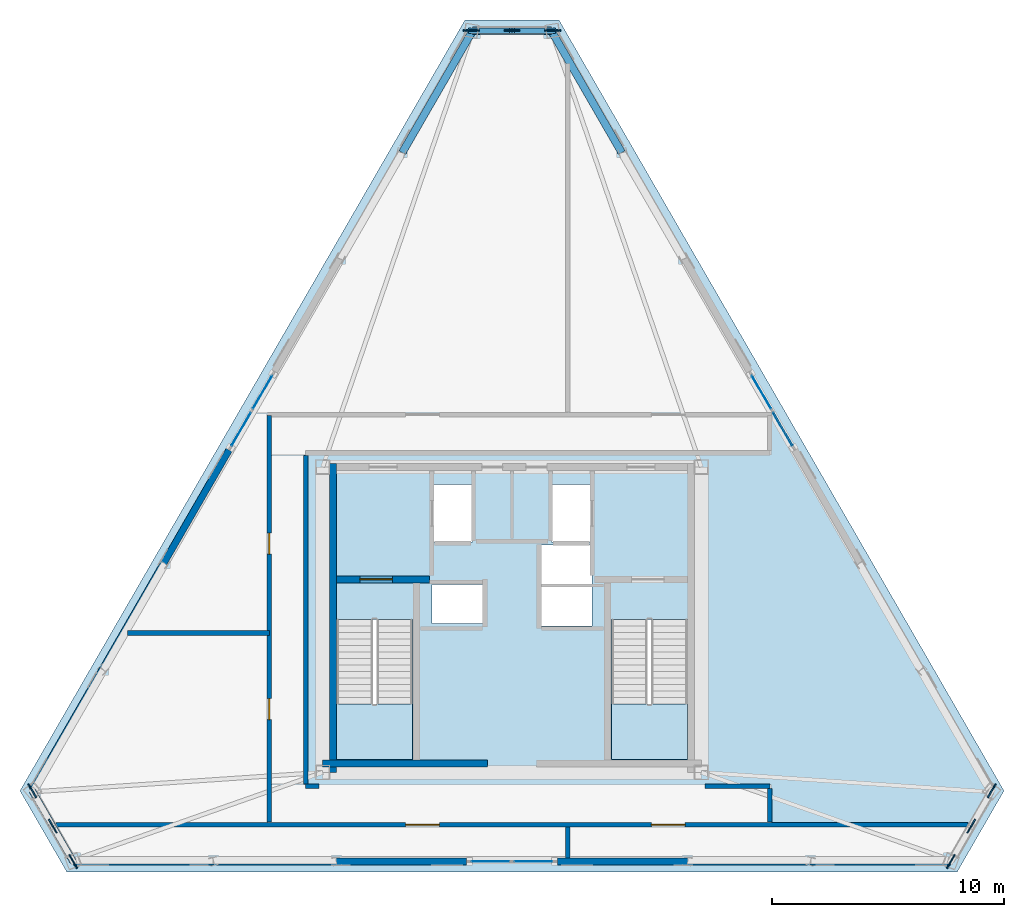
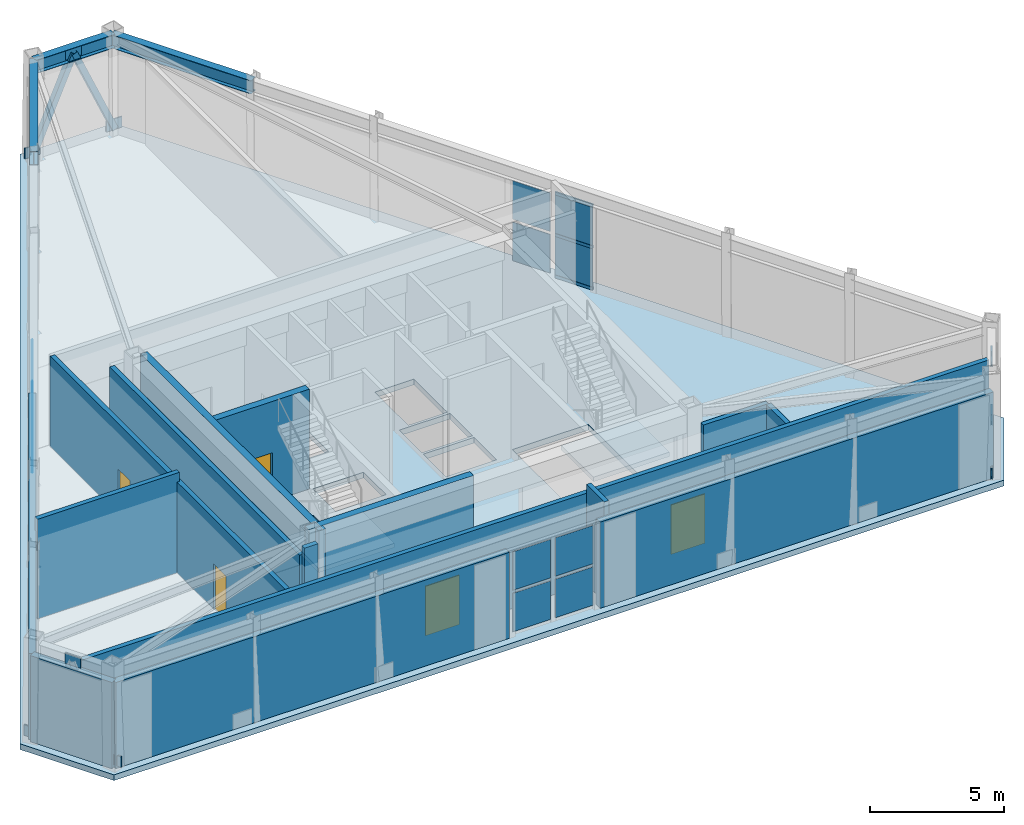
# One storey, part 8 of 12: 21 plates, 15 walls, 5 doors, 5 members, 3 beams, 3 slabs, 5 openings, 5 elements without a shape of their own.
"""IFC4 building model written with IfcOpenShell, lengths in metres."""

from ifc_helpers import new_model, si_unit, direction, frame, frame_2d, origin, origin_2d, place, context, subcontext, project, spatial, polyline, rectangle, hollow_rectangle, i_section, outline, extrude, material, layer, layer_set, material_profile, profile_set, type_object, element, fill, aggregate, save


model = new_model("IFC4")

# Units and contexts
model_context = context("Model", 3, precision=1e-05, world=origin(), true_north=direction((0.0, 1.0)))
body_context = subcontext(model_context, "Body", "Model", "MODEL_VIEW")
ifc_project = project(units=[si_unit("LENGTHUNIT", "METRE"), si_unit("AREAUNIT", "SQUARE_METRE"), si_unit("VOLUMEUNIT", "CUBIC_METRE"), si_unit("PLANEANGLEUNIT", "RADIAN"), si_unit("MASSUNIT", "GRAM", prefix="KILO")], contexts=[model_context])

# Site, building, storey
site_placement = place(None, origin())
site = spatial("IfcSite", under=ifc_project, at=site_placement, CompositionType="ELEMENT")
building_placement = place(site_placement, origin())
building = spatial("IfcBuilding", under=site, at=building_placement, Name="Oramaril Tower", CompositionType="ELEMENT")
storey_placement = place(building_placement, frame((0.0, 0.0, 314.10009765625)))
storey = spatial("IfcBuildingStorey", under=building, at=storey_placement, Name="L82", CompositionType="ELEMENT", Elevation=314.10009765625)

# Beams
ifc_material_1 = material(Name="Steel ASTM A572 Gr 50", Category="steel")
ifc_material_profile_1 = material_profile(ifc_material_1, i_section(OverallWidth=0.324951171875, OverallDepth=0.612060546875, WebThickness=0.0126953125, FlangeThickness=0.01904296875, at=origin_2d()), Name="W24X104")
ifc_profile_set_1 = profile_set([ifc_material_profile_1], Name="Steel ASTM A572 Gr 50")
beam_type = type_object("IfcBeamType", Name="BT-SP5", PredefinedType="SPANDREL", material=ifc_profile_set_1)
beam_1_placement = place(storey_placement, frame((42.224609375, 37.6787109375, 4.23388671875), z_axis=(-0.500013445875, 0.866017640666, 0.0), x_axis=(-0.866017640666, -0.500013445875, 0.0)))
element("IfcBeam", 1, at=beam_1_placement, inside=storey, type_object=beam_type, Name="L82 Perimeter Spandrel 12", PredefinedType="SPANDREL", context=body_context, shape_type="SweptSolid", body=[
    extrude(i_section(OverallWidth=0.324951171875, OverallDepth=0.612060546875, WebThickness=0.0126953125, FlangeThickness=0.01904296875, at=origin_2d()), origin(), (0.0, 0.0, 1.0), 6.052001953125),
])
beam_2_placement = place(storey_placement, frame((39.198486328125, 42.919921875, 4.23388671875), z_axis=(-1.0, 0.0, 0.0), x_axis=(0.0, -1.0, 0.0)))
element("IfcBeam", 2, at=beam_2_placement, inside=storey, type_object=beam_type, Name="L82 Perimeter Spandrel 13", PredefinedType="SPANDREL", context=body_context, shape_type="SweptSolid", body=[
    extrude(i_section(OverallWidth=0.324951171875, OverallDepth=0.612060546875, WebThickness=0.0126953125, FlangeThickness=0.01904296875, at=origin_2d()), origin(), (0.0, 0.0, 1.0), 3.39697265625),
])
beam_3_placement = place(storey_placement, frame((35.801513671875, 42.919921875, 4.23388671875), z_axis=(-0.500013445875, -0.866017640666, 0.0), x_axis=(0.866017640666, -0.500013445875, 0.0)))
element("IfcBeam", 3, at=beam_3_placement, inside=storey, type_object=beam_type, Name="L82 Perimeter Spandrel 14", PredefinedType="SPANDREL", context=body_context, shape_type="SweptSolid", body=[
    extrude(i_section(OverallWidth=0.324951171875, OverallDepth=0.612060546875, WebThickness=0.0126953125, FlangeThickness=0.01904296875, at=origin_2d()), origin(), (0.0, 0.0, 1.0), 6.052001953125),
])

# Curtain wall, members
ifc_material_2 = material(Name="Anodised Aluminium 6063-T6", Category="aluminium")
ifc_layer_1 = layer(ifc_material_2, 0.219970703125)
ifc_layer_set_1 = layer_set([ifc_layer_1], Name="CWT-SYS6")
curtain_wall_type = type_object("IfcCurtainWallType", Name="CWT-SYS6", PredefinedType="NOTDEFINED", material=ifc_layer_set_1)
curtain_wall_1_placement = place(storey_placement, origin())
curtain_wall_1 = element("IfcCurtainWall", 4, at=curtain_wall_1_placement, inside=storey, type_object=curtain_wall_type, Name="L82 Unitised Curtain Wall CW-6", PredefinedType="NOTDEFINED")
ifc_material_3 = material(Name="Anodised Aluminium 6063-T6", Category="aluminium")
ifc_material_profile_2 = material_profile(ifc_material_3, hollow_rectangle(XDim=0.06494140625, YDim=0.139892578125, WallThickness=0.00390625, at=origin_2d()), Name="CWT140X65")
ifc_profile_set_2 = profile_set([ifc_material_profile_2], Name="Anodised Aluminium 6063-T6")
member_type_1 = type_object("IfcMemberType", Name="MT-CWT2", PredefinedType="USERDEFINED", material=ifc_profile_set_2)
member_1_placement = place(storey_placement, frame((49.567626953125, 25.069580078125, 0.06982421875), z_axis=(-0.499996383721, 0.866027491634, 0.0), x_axis=(-0.866027491634, -0.499996383721, 0.0)))
member_1 = element("IfcMember", 5, at=member_1_placement, type_object=member_type_1, Name="CW-6 transom 1.1", ObjectType="TRANSOM", PredefinedType="USERDEFINED", context=body_context, shape_type="SweptSolid", body=[
    extrude(hollow_rectangle(XDim=0.06494140625, YDim=0.139892578125, WallThickness=0.00390625, at=origin_2d()), origin(), (0.0, 0.0, 1.0), 1.6201171875),
])
member_2_placement = place(storey_placement, frame((49.567626953125, 25.069580078125, 1.958984375), z_axis=(-0.499996383721, 0.866027491634, 0.0), x_axis=(-0.866027491634, -0.499996383721, 0.0)))
member_2 = element("IfcMember", 6, at=member_2_placement, type_object=member_type_1, Name="CW-6 transom 1.2", ObjectType="TRANSOM", PredefinedType="USERDEFINED", context=body_context, shape_type="SweptSolid", body=[
    extrude(hollow_rectangle(XDim=0.06494140625, YDim=0.139892578125, WallThickness=0.00390625, at=origin_2d()), origin(), (0.0, 0.0, 1.0), 1.6201171875),
])
member_3_placement = place(storey_placement, frame((49.567626953125, 25.069580078125, 3.847900390625), z_axis=(-0.499996383721, 0.866027491634, 0.0), x_axis=(-0.866027491634, -0.499996383721, 0.0)))
member_3 = element("IfcMember", 7, at=member_3_placement, type_object=member_type_1, Name="CW-6 transom 1.3", ObjectType="TRANSOM", PredefinedType="USERDEFINED", context=body_context, shape_type="SweptSolid", body=[
    extrude(hollow_rectangle(XDim=0.06494140625, YDim=0.139892578125, WallThickness=0.00390625, at=origin_2d()), origin(), (0.0, 0.0, 1.0), 1.6201171875),
])

# Members
ifc_material_4 = material(Name="Steel ASTM A572 Gr 50", Category="steel")
ifc_material_profile_3 = material_profile(ifc_material_4, hollow_rectangle(XDim=0.25, YDim=0.25, WallThickness=0.011962890625, at=origin_2d()), Name="HSS250X250X12")
ifc_profile_set_3 = profile_set([ifc_material_profile_3], Name="Steel ASTM A572 Gr 50")
member_type_2 = type_object("IfcMemberType", Name="MT-KB3", PredefinedType="BRACE", material=ifc_profile_set_3)
for number, where, z_axis, x_axis, name in (
    (8, (39.25634765625, 42.929443359375, 0.179931640625), (-0.397537651193, 0.0, 0.917585862949), (0.0, -1.0, 0.0), "L82 Perimeter Chevron Brace KB-3A"),
    (9, (35.74365234375, 42.929443359375, 0.179931640625), (0.397537651193, 0.0, 0.917585862949), (0.0, 1.0, 0.0), "L82 Perimeter Chevron Brace KB-3B"),
):
    element("IfcMember", number, at=place(storey_placement, frame(where, z_axis=z_axis, x_axis=x_axis)), inside=storey, type_object=member_type_2, Name=name, PredefinedType="BRACE", context=body_context, shape_type="SweptSolid", body=[
        extrude(hollow_rectangle(XDim=0.25, YDim=0.25, WallThickness=0.011962890625, at=origin_2d()), origin(), (0.0, 0.0, 1.0), 4.41796875),
    ])

# Curtain wall, plates
curtain_wall_2_placement = place(storey_placement, origin())
curtain_wall_2 = element("IfcCurtainWall", 10, at=curtain_wall_2_placement, inside=storey, type_object=curtain_wall_type, Name="L82 Unitised Curtain Wall CW-6", PredefinedType="NOTDEFINED")
ifc_material_5 = material(Name="Coastal Low-E Insulated Glass", Category="glass")
ifc_layer_2 = layer(ifc_material_5, 0.035888671875)
ifc_layer_set_2 = layer_set([ifc_layer_2], Name="PLT-CWP3")
plate_type_1 = type_object("IfcPlateType", Name="PLT-CWP3", PredefinedType="CURTAIN_PANEL", material=ifc_layer_set_2)
plate_1_placement = place(storey_placement, frame((36.580078125, 7.164306640625, 0.139892578125), z_axis=(0.0, 0.0, 1.0), x_axis=(1.0, 0.0, 0.0)))
plate_1 = element("IfcPlate", 11, at=plate_1_placement, type_object=plate_type_1, Name="CW-6 panel 1.1", PredefinedType="CURTAIN_PANEL", context=body_context, shape_type="SweptSolid", body=[
    extrude(rectangle(XDim=1.6201171875, YDim=0.035888671875, at=origin_2d()), origin(), (0.0, 0.0, 1.0), 1.7490234375),
])
plate_2_placement = place(storey_placement, frame((36.580078125, 7.164306640625, 2.02880859375), z_axis=(0.0, 0.0, 1.0), x_axis=(1.0, 0.0, 0.0)))
plate_2 = element("IfcPlate", 12, at=plate_2_placement, type_object=plate_type_1, Name="CW-6 panel 1.2", PredefinedType="CURTAIN_PANEL", context=body_context, shape_type="SweptSolid", body=[
    extrude(rectangle(XDim=1.6201171875, YDim=0.035888671875, at=origin_2d()), origin(), (0.0, 0.0, 1.0), 1.7490234375),
])
plate_3_placement = place(storey_placement, frame((38.419921875, 7.164306640625, 0.139892578125), z_axis=(0.0, 0.0, 1.0), x_axis=(1.0, 0.0, 0.0)))
plate_3 = element("IfcPlate", 13, at=plate_3_placement, type_object=plate_type_1, Name="CW-6 panel 2.1", PredefinedType="CURTAIN_PANEL", context=body_context, shape_type="SweptSolid", body=[
    extrude(rectangle(XDim=1.6201171875, YDim=0.035888671875, at=origin_2d()), origin(), (0.0, 0.0, 1.0), 1.7490234375),
])
plate_4_placement = place(storey_placement, frame((38.419921875, 7.164306640625, 2.02880859375), z_axis=(0.0, 0.0, 1.0), x_axis=(1.0, 0.0, 0.0)))
plate_4 = element("IfcPlate", 14, at=plate_4_placement, type_object=plate_type_1, Name="CW-6 panel 2.2", PredefinedType="CURTAIN_PANEL", context=body_context, shape_type="SweptSolid", body=[
    extrude(rectangle(XDim=1.6201171875, YDim=0.035888671875, at=origin_2d()), origin(), (0.0, 0.0, 1.0), 1.7490234375),
])
aggregate(curtain_wall_2, [plate_1, plate_2, plate_3, plate_4])

# Plate
plate_5_placement = place(storey_placement, frame((49.16259765625, 25.77099609375, 0.139892578125), z_axis=(0.0, 0.0, 1.0), x_axis=(-0.499999897278, 0.866025463091, 0.0)))
plate_5 = element("IfcPlate", 15, at=plate_5_placement, type_object=plate_type_1, Name="CW-6 panel 1.1", PredefinedType="CURTAIN_PANEL", context=body_context, shape_type="SweptSolid", body=[
    extrude(rectangle(XDim=1.6201171875, YDim=0.035888671875, at=origin_2d()), origin(), (0.0, 0.0, 1.0), 1.7490234375),
])

plate_6_placement = place(storey_placement, frame((49.16259765625, 25.77099609375, 2.02880859375), z_axis=(0.0, 0.0, 1.0), x_axis=(-0.499999897278, 0.866025463091, 0.0)))
plate_6 = element("IfcPlate", 16, at=plate_6_placement, type_object=plate_type_1, Name="CW-6 panel 1.2", PredefinedType="CURTAIN_PANEL", context=body_context, shape_type="SweptSolid", body=[
    extrude(rectangle(XDim=1.6201171875, YDim=0.035888671875, at=origin_2d()), origin(), (0.0, 0.0, 1.0), 1.7490234375),
])

plate_7_placement = place(storey_placement, frame((48.24267578125, 27.364501953125, 0.139892578125), z_axis=(0.0, 0.0, 1.0), x_axis=(-0.499999897278, 0.866025463091, 0.0)))
plate_7 = element("IfcPlate", 17, at=plate_7_placement, type_object=plate_type_1, Name="CW-6 panel 2.1", PredefinedType="CURTAIN_PANEL", context=body_context, shape_type="SweptSolid", body=[
    extrude(rectangle(XDim=1.6201171875, YDim=0.035888671875, at=origin_2d()), origin(), (0.0, 0.0, 1.0), 1.7490234375),
])

plate_8_placement = place(storey_placement, frame((48.24267578125, 27.364501953125, 2.02880859375), z_axis=(0.0, 0.0, 1.0), x_axis=(-0.499999897278, 0.866025463091, 0.0)))
plate_8 = element("IfcPlate", 18, at=plate_8_placement, type_object=plate_type_1, Name="CW-6 panel 2.2", PredefinedType="CURTAIN_PANEL", context=body_context, shape_type="SweptSolid", body=[
    extrude(rectangle(XDim=1.6201171875, YDim=0.035888671875, at=origin_2d()), origin(), (0.0, 0.0, 1.0), 1.7490234375),
])

aggregate(curtain_wall_1, [member_1, member_2, member_3, plate_5, plate_6, plate_7, plate_8])

# Curtain wall, plates
curtain_wall_3_placement = place(storey_placement, origin())
curtain_wall_3 = element("IfcCurtainWall", 19, at=curtain_wall_3_placement, inside=storey, type_object=curtain_wall_type, Name="L82 Unitised Curtain Wall CW-6", PredefinedType="NOTDEFINED")
plate_9_placement = place(storey_placement, frame((26.75732421875, 27.364501953125, 0.139892578125), z_axis=(0.0, 0.0, 1.0), x_axis=(-0.499999897278, -0.866025463091, 0.0)))
plate_9 = element("IfcPlate", 20, at=plate_9_placement, type_object=plate_type_1, Name="CW-6 panel 1.1", PredefinedType="CURTAIN_PANEL", context=body_context, shape_type="SweptSolid", body=[
    extrude(rectangle(XDim=1.6201171875, YDim=0.035888671875, at=origin_2d()), origin(), (0.0, 0.0, 1.0), 1.7490234375),
])
plate_10_placement = place(storey_placement, frame((26.75732421875, 27.364501953125, 2.02880859375), z_axis=(0.0, 0.0, 1.0), x_axis=(-0.499999897278, -0.866025463091, 0.0)))
plate_10 = element("IfcPlate", 21, at=plate_10_placement, type_object=plate_type_1, Name="CW-6 panel 1.2", PredefinedType="CURTAIN_PANEL", context=body_context, shape_type="SweptSolid", body=[
    extrude(rectangle(XDim=1.6201171875, YDim=0.035888671875, at=origin_2d()), origin(), (0.0, 0.0, 1.0), 1.7490234375),
])
plate_11_placement = place(storey_placement, frame((25.83740234375, 25.77099609375, 0.139892578125), z_axis=(0.0, 0.0, 1.0), x_axis=(-0.499999897278, -0.866025463091, 0.0)))
plate_11 = element("IfcPlate", 22, at=plate_11_placement, type_object=plate_type_1, Name="CW-6 panel 2.1", PredefinedType="CURTAIN_PANEL", context=body_context, shape_type="SweptSolid", body=[
    extrude(rectangle(XDim=1.6201171875, YDim=0.035888671875, at=origin_2d()), origin(), (0.0, 0.0, 1.0), 1.7490234375),
])
plate_12_placement = place(storey_placement, frame((25.83740234375, 25.77099609375, 2.02880859375), z_axis=(0.0, 0.0, 1.0), x_axis=(-0.499999897278, -0.866025463091, 0.0)))
plate_12 = element("IfcPlate", 23, at=plate_12_placement, type_object=plate_type_1, Name="CW-6 panel 2.2", PredefinedType="CURTAIN_PANEL", context=body_context, shape_type="SweptSolid", body=[
    extrude(rectangle(XDim=1.6201171875, YDim=0.035888671875, at=origin_2d()), origin(), (0.0, 0.0, 1.0), 1.7490234375),
])
aggregate(curtain_wall_3, [plate_9, plate_10, plate_11, plate_12])

# Plates
ifc_material_6 = material(Name="Steel ASTM A572 Gr 50", Category="steel")
ifc_layer_3 = layer(ifc_material_6, 0.06005859375)
ifc_layer_set_3 = layer_set([ifc_layer_3], Name="PLT-G60")
plate_type_2 = type_object("IfcPlateType", Name="PLT-G60", PredefinedType="USERDEFINED", material=ifc_layer_set_3)
for number, where, z_axis, x_axis, name in (
    (24, (17.729248046875, 8.685302734375, 3.993896484375), (0.0, 0.0, 1.0), (0.5, -0.866025403784, 0.0), "L82 Chevron Brace Gusset Plate BN-1"),
    (25, (16.85107421875, 10.206298828125, 0.099853515625), (0.0, 0.0, 1.0), (0.5, -0.866025403784, 0.0), "L82 Chevron Brace Gusset Plate BN-1"),
    (26, (18.607421875, 7.164306640625, 0.099853515625), (0.0, 0.0, 1.0), (0.5, -0.866025403784, 0.0), "L82 Chevron Brace Gusset Plate BN-1"),
    (27, (57.270751953125, 8.685302734375, 3.993896484375), (0.0, 0.0, 1.0), (0.5, 0.866025403784, 0.0), "L82 Chevron Brace Gusset Plate BN-1"),
    (28, (56.392578125, 7.164306640625, 0.099853515625), (0.0, 0.0, 1.0), (0.5, 0.866025403784, 0.0), "L82 Chevron Brace Gusset Plate BN-1"),
    (29, (58.14892578125, 10.206298828125, 0.099853515625), (0.0, 0.0, 1.0), (0.5, 0.866025403784, 0.0), "L82 Chevron Brace Gusset Plate BN-1"),
    (30, (37.5, 42.929443359375, 3.993896484375), (0.0, 0.0, 1.0), (-1.0, 0.0, 0.0), "L82 Chevron Brace Gusset Plate BN-1"),
    (31, (39.25634765625, 42.929443359375, 0.099853515625), (0.0, 0.0, 1.0), (-1.0, 0.0, 0.0), "L82 Chevron Brace Gusset Plate BN-1"),
    (32, (35.74365234375, 42.929443359375, 0.099853515625), (0.0, 0.0, 1.0), (-1.0, 0.0, 0.0), "L82 Chevron Brace Gusset Plate BN-1"),
):
    element("IfcPlate", number, at=place(storey_placement, frame(where, z_axis=z_axis, x_axis=x_axis)), inside=storey, type_object=plate_type_2, Name=name, ObjectType="GUSSET", PredefinedType="USERDEFINED", context=body_context, shape_type="SweptSolid", body=[
        extrude(rectangle(XDim=0.679931640625, YDim=0.06005859375, at=origin_2d()), origin(), (0.0, 0.0, 1.0), 0.47998046875),
    ])

# Stair, slab
ifc_material_7 = material(Name="Concrete C50/60", Category="concrete")
stair_type = type_object("IfcStairType", Name="STT-DG-4800", PredefinedType="HALF_TURN_STAIR", material=ifc_material_7)
stair_1_placement = place(storey_placement, origin())
stair_1 = element("IfcStair", 33, at=stair_1_placement, inside=storey, type_object=stair_type, Name="L82 Protected PFP Exit Stair ST-1", PredefinedType="HALF_TURN_STAIR")
ifc_material_8 = material(Name="Concrete C50/60", Category="concrete")
ifc_layer_4 = layer(ifc_material_8, 0.199951171875)
ifc_layer_set_4 = layer_set([ifc_layer_4], Name="SLT-LND20")
slab_type_1 = type_object("IfcSlabType", Name="SLT-LND20", PredefinedType="LANDING", material=ifc_layer_set_4)
slab_1_placement = place(storey_placement, frame((0.0, 0.0, 2.199951171875)))
slab_1 = element("IfcSlab", 34, at=slab_1_placement, type_object=slab_type_1, Name="ST-1 landing 1", PredefinedType="LANDING", context=body_context, shape_type="SweptSolid", body=[
    extrude(outline(polyline([(29.949951171875, 13.949951171875), (29.949951171875, 11.550048828125), (33.219970703125, 11.550048828125), (33.219970703125, 13.949951171875), (29.949951171875, 13.949951171875)])), origin(), (0.0, 0.0, 1.0), 0.199951171875),
])
aggregate(stair_1, [slab_1])

stair_2_placement = place(storey_placement, origin())
stair_2 = element("IfcStair", 35, at=stair_2_placement, inside=storey, type_object=stair_type, Name="L82 Protected PFP Exit Stair ST-2", PredefinedType="HALF_TURN_STAIR")
slab_2_placement = place(storey_placement, frame((0.0, 0.0, 2.199951171875)))
slab_2 = element("IfcSlab", 36, at=slab_2_placement, type_object=slab_type_1, Name="ST-2 landing 1", PredefinedType="LANDING", context=body_context, shape_type="SweptSolid", body=[
    extrude(outline(polyline([(41.780029296875, 13.949951171875), (41.780029296875, 11.550048828125), (45.050048828125, 11.550048828125), (45.050048828125, 13.949951171875), (41.780029296875, 13.949951171875)])), origin(), (0.0, 0.0, 1.0), 0.199951171875),
])
aggregate(stair_2, [slab_2])

# Slab
ifc_material_9 = material(Name="Concrete C50/60", Category="concrete")
ifc_layer_5 = layer(ifc_material_9, 0.260009765625)
ifc_layer_set_5 = layer_set([ifc_layer_5], Name="SLT-TRF26")
slab_type_2 = type_object("IfcSlabType", Name="SLT-TRF26", PredefinedType="FLOOR", material=ifc_layer_set_5)
slab_3_placement = place(storey_placement, frame((0.0, 0.0, -0.260009765625)))
element("IfcSlab", 37, at=slab_3_placement, inside=storey, type_object=slab_type_2, Name="L82 Structural Floor Slab", PredefinedType="FLOOR", context=body_context, shape_type="SweptSolid", body=[
    extrude(outline(polyline([(16.31982421875, 10.206298828125), (18.341796875, 6.704345703125), (56.658203125, 6.704345703125), (58.68017578125, 10.206298828125), (39.52197265625, 43.389404296875), (35.47802734375, 43.389404296875), (16.31982421875, 10.206298828125)]), holes=[polyline([(29.949951171875, 17.58935546875), (29.949951171875, 11.550048828125), (33.219970703125, 11.550048828125), (33.219970703125, 17.58935546875), (29.949951171875, 17.58935546875)]), polyline([(41.780029296875, 17.58935546875), (41.780029296875, 11.550048828125), (45.050048828125, 11.550048828125), (45.050048828125, 17.58935546875), (41.780029296875, 17.58935546875)]), polyline([(34.110107421875, 20.909912109375), (35.7900390625, 20.909912109375), (35.7900390625, 23.389892578125), (34.110107421875, 23.389892578125), (34.110107421875, 20.909912109375)]), polyline([(39.2099609375, 20.909912109375), (40.889892578125, 20.909912109375), (40.889892578125, 23.389892578125), (39.2099609375, 23.389892578125), (39.2099609375, 20.909912109375)]), polyline([(34.06005859375, 17.409912109375), (36.239990234375, 17.409912109375), (36.239990234375, 19.090087890625), (34.06005859375, 19.090087890625), (34.06005859375, 17.409912109375)]), polyline([(38.760009765625, 17.31005859375), (40.93994140625, 17.31005859375), (40.93994140625, 18.989990234375), (38.760009765625, 18.989990234375), (38.760009765625, 17.31005859375)]), polyline([(38.760009765625, 19.110107421875), (40.93994140625, 19.110107421875), (40.93994140625, 20.7900390625), (38.760009765625, 20.7900390625), (38.760009765625, 19.110107421875)])]), origin(), (0.0, 0.0, 1.0), 0.260009765625),
])

# Walls
ifc_material_10 = material(Name="Warm Cream Limestone", Category="masonry")
ifc_layer_6 = layer(ifc_material_10, 0.2900390625)
ifc_layer_set_6 = layer_set([ifc_layer_6], Name="WT-EXT29")
wall_type_1 = type_object("IfcWallType", Name="WT-EXT29", PredefinedType="SOLIDWALL", material=ifc_layer_set_6)
wall_1_placement = place(storey_placement, frame((16.85107421875, 10.206298828125, 0.0), z_axis=(0.0, 0.0, 1.0), x_axis=(0.500011241135, -0.866018913615, 0.0)))
element("IfcWall", 38, at=wall_1_placement, inside=storey, type_object=wall_type_1, Name="L82 Tower Limestone Facade Wall 1M", PredefinedType="SOLIDWALL", context=body_context, shape_type="SweptSolid", body=[
    extrude(rectangle(XDim=3.5126953125, YDim=0.2900390625, at=frame_2d((1.75634765625, 0.0))), origin(), (0.0, 0.0, 1.0), 3.91796875),
])
for number, where, z_axis, x_axis, name in (
    (39, (18.607421875, 7.164306640625, 0.0), (0.0, 0.0, 1.0), (1.0, 0.0, 0.0), "L82 Tower Limestone Facade Wall 2L"),
    (40, (39.449951171875, 7.164306640625, 0.0), (0.0, 0.0, 1.0), (1.0, 0.0, 0.0), "L82 Tower Limestone Facade Wall 2R"),
):
    element("IfcWall", number, at=place(storey_placement, frame(where, z_axis=z_axis, x_axis=x_axis)), inside=storey, type_object=wall_type_1, Name=name, PredefinedType="SOLIDWALL", context=body_context, shape_type="SweptSolid", body=[
        extrude(rectangle(XDim=16.942626953125, YDim=0.2900390625, at=frame_2d((8.47119140625, 0.0))), origin(), (0.0, 0.0, 1.0), 3.91796875),
    ])
wall_2_placement = place(storey_placement, frame((25.322509765625, 24.879150390625, 0.0), z_axis=(0.0, 0.0, 1.0), x_axis=(-0.500002689085, -0.866023851235, 0.0)))
element("IfcWall", 41, at=wall_2_placement, inside=storey, type_object=wall_type_1, Name="L82 Tower Limestone Facade Wall 6R", PredefinedType="SOLIDWALL", context=body_context, shape_type="SweptSolid", body=[
    extrude(rectangle(XDim=16.94287109375, YDim=0.2900390625, at=frame_2d((8.471435546875, 0.0))), origin(), (0.0, 0.0, 1.0), 3.91796875),
])

# Wall, openings, doors
ifc_material_11 = material(Name="Autoclaved Cellular Concrete Block", Category="concrete")
ifc_layer_7 = layer(ifc_material_11, 0.199951171875)
ifc_layer_set_7 = layer_set([ifc_layer_7], Name="WT-PT20")
wall_type_2 = type_object("IfcWallType", Name="WT-PT20", PredefinedType="PARTITIONING", material=ifc_layer_set_7)
wall_3_placement = place(storey_placement, frame((17.864013671875, 8.75, 0.0), z_axis=(0.0, 0.0, 1.0), x_axis=(1.0, 0.0, 0.0)))
wall_3 = element("IfcWall", 42, at=wall_3_placement, inside=storey, type_object=wall_type_2, Name="L82 Interior Partition PT-20", PredefinedType="PARTITIONING", context=body_context, shape_type="SweptSolid", body=[
    extrude(rectangle(XDim=39.27197265625, YDim=0.199951171875, at=frame_2d((19.635986328125, 0.0))), origin(), (0.0, 0.0, 1.0), 4.1259765625),
])
opening_1_placement = place(wall_3_placement, frame((15.06103515625, 0.0, 0.0)))
opening_1 = element("IfcOpeningElement", 43, at=opening_1_placement, cuts=wall_3, Name="Opening D-L82-01", PredefinedType="OPENING", context=body_context, shape_type="SweptSolid", body=[
    extrude(rectangle(XDim=1.449951171875, YDim=2.25, at=frame_2d((0.72509765625, 1.125))), frame((0.0, 0.10009765625, 0.0), z_axis=(0.0, -1.0, 0.0), x_axis=(1.0, 0.0, 0.0)), (0.0, 0.0, 1.0), 0.199951171875),
])
opening_2_placement = place(wall_3_placement, frame((25.635009765625, 0.0, 0.0)))
opening_2 = element("IfcOpeningElement", 44, at=opening_2_placement, cuts=wall_3, Name="Opening D-L82-02", PredefinedType="OPENING", context=body_context, shape_type="SweptSolid", body=[
    extrude(rectangle(XDim=1.449951171875, YDim=2.25, at=frame_2d((0.72509765625, 1.125))), frame((0.0, 0.10009765625, 0.0), z_axis=(0.0, -1.0, 0.0), x_axis=(1.0, 0.0, 0.0)), (0.0, 0.0, 1.0), 0.199951171875),
])
ifc_material_12 = material(Name="Painted Galvanised Steel", Category="steel")
door_type_1 = type_object("IfcDoorType", Name="DT-PLT", OperationType="NOTDEFINED", PredefinedType="DOOR", material=ifc_material_12)
door_1_placement = place(opening_1_placement, origin())
door_1 = element("IfcDoor", 45, at=door_1_placement, inside=storey, type_object=door_type_1, Name="L82 L82 Chiller Plant Room Door D-L82-01", OperationType="SINGLE_SWING_RIGHT", OverallHeight=2.25, OverallWidth=1.449951171875, PredefinedType="DOOR", context=body_context, shape_type="SweptSolid", body=[
    extrude(rectangle(XDim=1.449951171875, YDim=2.25, at=frame_2d((0.72509765625, 1.125))), frame((0.0, 0.02490234375, 0.0), z_axis=(0.0, -1.0, 0.0), x_axis=(1.0, 0.0, 0.0)), (0.0, 0.0, 1.0), 0.050048828125),
])
fill(opening_1, door_1)
door_2_placement = place(opening_2_placement, origin())
door_2 = element("IfcDoor", 46, at=door_2_placement, inside=storey, type_object=door_type_1, Name="L82 L82 Air Handling Plant Room Door D-L82-02", OperationType="SINGLE_SWING_LEFT", OverallHeight=2.25, OverallWidth=1.449951171875, PredefinedType="DOOR", context=body_context, shape_type="SweptSolid", body=[
    extrude(rectangle(XDim=1.449951171875, YDim=2.25, at=frame_2d((0.72509765625, 1.125))), frame((0.0, 0.02490234375, 0.0), z_axis=(0.0, -1.0, 0.0), x_axis=(1.0, 0.0, 0.0)), (0.0, 0.0, 1.0), 0.050048828125),
])
fill(opening_2, door_2)

# Walls
wall_4_placement = place(storey_placement, frame((28.6201171875, 10.39990234375, 0.0), z_axis=(0.0, 0.0, 1.0), x_axis=(1.0, 0.0, 0.0)))
element("IfcWall", 47, at=wall_4_placement, inside=storey, type_object=wall_type_2, Name="L82 Interior Partition PT-20", PredefinedType="PARTITIONING", context=body_context, shape_type="SweptSolid", body=[
    extrude(rectangle(XDim=0.579833984375, YDim=0.199951171875, at=frame_2d((0.2900390625, 0.0))), origin(), (0.0, 0.0, 1.0), 4.539794921875),
])
wall_5_placement = place(storey_placement, frame((45.800048828125, 10.39990234375, 0.0), z_axis=(0.0, 0.0, 1.0), x_axis=(1.0, 0.0, 0.0)))
element("IfcWall", 48, at=wall_5_placement, inside=storey, type_object=wall_type_2, Name="L82 Interior Partition PT-20", PredefinedType="PARTITIONING", context=body_context, shape_type="SweptSolid", body=[
    extrude(rectangle(XDim=2.800048828125, YDim=0.199951171875, at=frame_2d((1.39990234375, 0.0))), origin(), (0.0, 0.0, 1.0), 4.1259765625),
])
wall_6_placement = place(storey_placement, frame((20.945556640625, 17.0, 0.0), z_axis=(0.0, 0.0, 1.0), x_axis=(1.0, 0.0, 0.0)))
element("IfcWall", 49, at=wall_6_placement, inside=storey, type_object=wall_type_2, Name="L82 Interior Partition PT-20", PredefinedType="PARTITIONING", context=body_context, shape_type="SweptSolid", body=[
    extrude(rectangle(XDim=6.1044921875, YDim=0.199951171875, at=frame_2d((3.05224609375, 0.0))), origin(), (0.0, 0.0, 1.0), 4.539794921875),
])

# Wall, openings, doors
wall_7_placement = place(storey_placement, frame((27.050048828125, 8.85400390625, 0.0), z_axis=(0.0, 0.0, 1.0), x_axis=(0.0, 1.0, 0.0)))
wall_7 = element("IfcWall", 50, at=wall_7_placement, inside=storey, type_object=wall_type_2, Name="L82 Interior Partition PT-20", PredefinedType="PARTITIONING", context=body_context, shape_type="SweptSolid", body=[
    extrude(rectangle(XDim=17.510009765625, YDim=0.199951171875, at=frame_2d((8.7548828125, 0.0))), origin(), (0.0, 0.0, 1.0), 4.1259765625),
])
opening_3_placement = place(wall_7_placement, frame((4.422119140625, 0.0, 0.0)))
opening_3 = element("IfcOpeningElement", 51, at=opening_3_placement, cuts=wall_7, Name="Opening D-L82-05", PredefinedType="OPENING", context=body_context, shape_type="SweptSolid", body=[
    extrude(rectangle(XDim=0.89990234375, YDim=2.050048828125, at=frame_2d((0.449951171875, 1.02490234375))), frame((0.0, 0.10009765625, 0.0), z_axis=(0.0, -1.0, 0.0), x_axis=(1.0, 0.0, 0.0)), (0.0, 0.0, 1.0), 0.199951171875),
])
opening_4_placement = place(wall_7_placement, frame((11.544921875, 0.0, 0.0)))
opening_4 = element("IfcOpeningElement", 52, at=opening_4_placement, cuts=wall_7, Name="Opening D-L82-06", PredefinedType="OPENING", context=body_context, shape_type="SweptSolid", body=[
    extrude(rectangle(XDim=0.89990234375, YDim=2.050048828125, at=frame_2d((0.449951171875, 1.02490234375))), frame((0.0, 0.10009765625, 0.0), z_axis=(0.0, -1.0, 0.0), x_axis=(1.0, 0.0, 0.0)), (0.0, 0.0, 1.0), 0.199951171875),
])
ifc_material_13 = material(Name="Painted Galvanised Steel", Category="steel")
door_type_2 = type_object("IfcDoorType", Name="DT-SVC", OperationType="NOTDEFINED", PredefinedType="DOOR", material=ifc_material_13)
door_3_placement = place(opening_3_placement, origin())
door_3 = element("IfcDoor", 53, at=door_3_placement, inside=storey, type_object=door_type_2, Name="L82 L82 Water Booster Plant Room Door D-L82-05", OperationType="SINGLE_SWING_RIGHT", OverallHeight=2.050048828125, OverallWidth=0.89990234375, PredefinedType="DOOR", context=body_context, shape_type="SweptSolid", body=[
    extrude(rectangle(XDim=0.89990234375, YDim=2.050048828125, at=frame_2d((0.449951171875, 1.02490234375))), frame((0.0, 0.02490234375, 0.0), z_axis=(0.0, -1.0, 0.0), x_axis=(1.0, 0.0, 0.0)), (0.0, 0.0, 1.0), 0.050048828125),
])
fill(opening_3, door_3)
door_4_placement = place(opening_4_placement, origin())
door_4 = element("IfcDoor", 54, at=door_4_placement, inside=storey, type_object=door_type_2, Name="L82 L82 BMS and Controls Plant Room Door D-L82-06", OperationType="SINGLE_SWING_LEFT", OverallHeight=2.050048828125, OverallWidth=0.89990234375, PredefinedType="DOOR", context=body_context, shape_type="SweptSolid", body=[
    extrude(rectangle(XDim=0.89990234375, YDim=2.050048828125, at=frame_2d((0.449951171875, 1.02490234375))), frame((0.0, 0.02490234375, 0.0), z_axis=(0.0, -1.0, 0.0), x_axis=(1.0, 0.0, 0.0)), (0.0, 0.0, 1.0), 0.050048828125),
])
fill(opening_4, door_4)

# Walls
wall_8_placement = place(storey_placement, frame((28.6201171875, 10.50390625, 0.0), z_axis=(0.0, 0.0, 1.0), x_axis=(0.0, 1.0, 0.0)))
element("IfcWall", 55, at=wall_8_placement, inside=storey, type_object=wall_type_2, Name="L82 Interior Partition PT-20", PredefinedType="PARTITIONING", context=body_context, shape_type="SweptSolid", body=[
    extrude(rectangle(XDim=14.14208984375, YDim=0.199951171875, at=frame_2d((7.071044921875, 0.0))), origin(), (0.0, 0.0, 1.0), 4.1259765625),
])
wall_9_placement = place(storey_placement, frame((39.89990234375, 7.313232421875, 0.0), z_axis=(0.0, 0.0, 1.0), x_axis=(0.0, 1.0, 0.0)))
element("IfcWall", 56, at=wall_9_placement, inside=storey, type_object=wall_type_2, Name="L82 Interior Partition PT-20", PredefinedType="PARTITIONING", context=body_context, shape_type="SweptSolid", body=[
    extrude(rectangle(XDim=1.332763671875, YDim=0.199951171875, at=frame_2d((0.66650390625, 0.0))), origin(), (0.0, 0.0, 1.0), 4.539794921875),
])
wall_10_placement = place(storey_placement, frame((48.60009765625, 8.85400390625, 0.0), z_axis=(0.0, 0.0, 1.0), x_axis=(0.0, 1.0, 0.0)))
element("IfcWall", 57, at=wall_10_placement, inside=storey, type_object=wall_type_2, Name="L82 Interior Partition PT-20", PredefinedType="PARTITIONING", context=body_context, shape_type="SweptSolid", body=[
    extrude(rectangle(XDim=1.44189453125, YDim=0.199951171875, at=frame_2d((0.720947265625, 0.0))), origin(), (0.0, 0.0, 1.0), 4.1259765625),
])
ifc_material_14 = material(Name="Concrete C50/60", Category="concrete")
ifc_layer_8 = layer(ifc_material_14, 0.300048828125)
ifc_layer_set_8 = layer_set([ifc_layer_8], Name="WT-SH30")
wall_type_3 = type_object("IfcWallType", Name="WT-SH30", PredefinedType="SHEAR", material=ifc_layer_set_8)
wall_11_placement = place(storey_placement, frame((29.7900390625, 11.0, 0.0), z_axis=(0.0, 0.0, 1.0), x_axis=(0.0, 1.0, 0.0)))
element("IfcWall", 58, at=wall_11_placement, inside=storey, type_object=wall_type_3, Name="L82 Core Shear Wall CW-W", PredefinedType="SHEAR", context=body_context, shape_type="SweptSolid", body=[
    extrude(rectangle(XDim=13.300048828125, YDim=0.300048828125, at=frame_2d((6.64990234375, 0.0))), origin(), (0.0, 0.0, 1.0), 4.539794921875),
])
wall_12_placement = place(storey_placement, frame((29.35009765625, 11.389892578125, 0.0), z_axis=(0.0, 0.0, 1.0), x_axis=(1.0, 0.0, 0.0)))
element("IfcWall", 59, at=wall_12_placement, inside=storey, type_object=wall_type_3, Name="L82 Core Shear Wall CW-SW", PredefinedType="SHEAR", context=body_context, shape_type="SweptSolid", body=[
    extrude(rectangle(XDim=7.099853515625, YDim=0.300048828125, at=frame_2d((3.5498046875, 0.0))), origin(), (0.0, 0.0, 1.0), 4.539794921875),
])

# Wall, opening, door
wall_13_placement = place(storey_placement, frame((29.93994140625, 19.31005859375, 0.0), z_axis=(0.0, 0.0, 1.0), x_axis=(1.0, 0.0, 0.0)))
wall_13 = element("IfcWall", 60, at=wall_13_placement, inside=storey, type_object=wall_type_3, Name="L82 Core Shear Wall CW-ST1N", PredefinedType="SHEAR", context=body_context, shape_type="SweptSolid", body=[
    extrude(rectangle(XDim=4.010009765625, YDim=0.300048828125, at=frame_2d((2.0048828125, 0.0))), origin(), (0.0, 0.0, 1.0), 4.539794921875),
])
opening_5_placement = place(wall_13_placement, frame((1.010009765625, 0.0, 0.0)))
opening_5 = element("IfcOpeningElement", 61, at=opening_5_placement, cuts=wall_13, Name="Opening D-L82-ST1", PredefinedType="OPENING", context=body_context, shape_type="SweptSolid", body=[
    extrude(rectangle(XDim=1.39990234375, YDim=2.199951171875, at=frame_2d((0.699951171875, 1.10009765625))), frame((0.0, 0.14990234375, 0.0), z_axis=(0.0, -1.0, 0.0), x_axis=(1.0, 0.0, 0.0)), (0.0, 0.0, 1.0), 0.300048828125),
])
ifc_material_15 = material(Name="Painted Galvanised Steel", Category="steel")
door_type_3 = type_object("IfcDoorType", Name="DT-ST", OperationType="NOTDEFINED", PredefinedType="DOOR", material=ifc_material_15)
door_5_placement = place(opening_5_placement, origin())
door_5 = element("IfcDoor", 62, at=door_5_placement, inside=storey, type_object=door_type_3, Name="L82 Protected Stair ST-1 Fire Door", OperationType="SINGLE_SWING_LEFT", OverallHeight=2.199951171875, OverallWidth=1.39990234375, PredefinedType="DOOR", context=body_context, shape_type="SweptSolid", body=[
    extrude(rectangle(XDim=1.39990234375, YDim=2.199951171875, at=frame_2d((0.699951171875, 1.10009765625))), frame((0.0, 0.02490234375, 0.0), z_axis=(0.0, -1.0, 0.0), x_axis=(1.0, 0.0, 0.0)), (0.0, 0.0, 1.0), 0.050048828125),
])
fill(opening_5, door_5)

save(model, "model.ifc")
